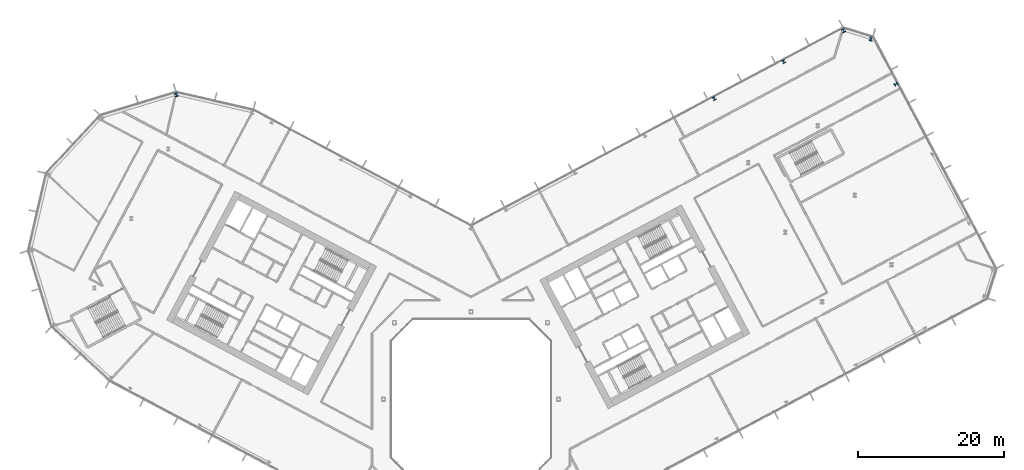
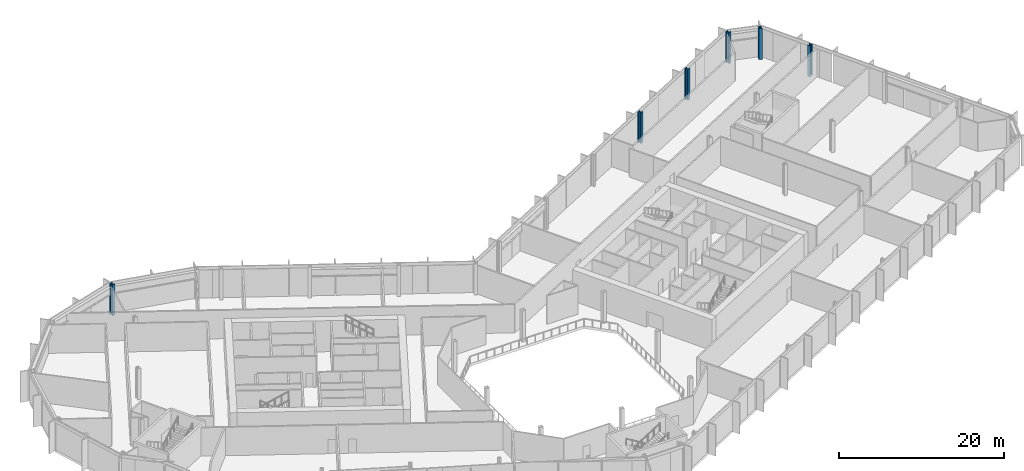
# One storey, part 5 of 32: 6 columns.
"""IFC4 building model written with IfcOpenShell, lengths in metres."""

from ifc_helpers import new_model, si_unit, direction, frame, origin, origin_2d, place, context, subcontext, project, spatial, i_section, extrude, material, material_profile, profile_set, type_object, element, save


model = new_model("IFC4")

# Units and contexts
model_context = context("Model", 3, precision=1e-05, world=origin(), true_north=direction((0.0, 1.0)))
body_context = subcontext(model_context, "Body", "Model", "MODEL_VIEW")
ifc_project = project(units=[si_unit("LENGTHUNIT", "METRE"), si_unit("AREAUNIT", "SQUARE_METRE"), si_unit("VOLUMEUNIT", "CUBIC_METRE"), si_unit("PLANEANGLEUNIT", "RADIAN"), si_unit("MASSUNIT", "GRAM", prefix="KILO")], contexts=[model_context])

# Site, building, storey
site_placement = place(None, origin())
site = spatial("IfcSite", under=ifc_project, at=site_placement, CompositionType="ELEMENT")
building_placement = place(site_placement, origin())
building = spatial("IfcBuilding", under=site, at=building_placement, Name="Cormorant Relay Tower", CompositionType="ELEMENT")
storey_placement = place(building_placement, frame((0.0, 0.0, 70.800048828125)))
storey = spatial("IfcBuildingStorey", under=building, at=storey_placement, Name="L13", CompositionType="ELEMENT", Elevation=70.800048828125)

# Columns
ifc_material_1 = material(Name="Steel ASTM A992 (Fy 345 MPa)", Category="steel")
ifc_material_profile_1 = material_profile(ifc_material_1, i_section(OverallWidth=0.42431640625, OverallDepth=0.47509765625, WebThickness=0.0478515625, FlangeThickness=0.0771484375, FilletRadius=0.014892578125, at=origin_2d()), Name="W360x634")
ifc_profile_set_1 = profile_set([ifc_material_profile_1], Name="Steel ASTM A992 (Fy 345 MPa)")
column_type_1 = type_object("IfcColumnType", Name="Column W360x634", PredefinedType="COLUMN", material=ifc_profile_set_1)
for number, where, z_axis, x_axis, name in (
    (1, (33.342041015625, 41.239990234375, 0.0), (0.0, 0.0, 1.0), (-0.882947592859, -0.469471562786, 0.0), "Column L13-049"),
    (2, (58.2900390625, 43.22509765625, 0.0), (0.0, 0.0, 1.0), (-0.469471562786, 0.882947592859, 0.0), "Column L13-051"),
    (3, (42.876953125, 46.31005859375, 0.0), (0.0, 0.0, 1.0), (-0.882947592859, -0.469471562786, 0.0), "Column L13-052"),
):
    element("IfcColumn", number, at=place(storey_placement, frame(where, z_axis=z_axis, x_axis=x_axis)), inside=storey, type_object=column_type_1, Name=name, PredefinedType="COLUMN", context=body_context, shape_type="SweptSolid", body=[
        extrude(i_section(OverallWidth=0.42431640625, OverallDepth=0.47509765625, WebThickness=0.0478515625, FlangeThickness=0.0771484375, FilletRadius=0.014892578125, at=origin_2d()), origin(), (0.0, 0.0, 1.0), 4.599853515625),
    ])
ifc_material_2 = material(Name="Steel ASTM A992 (Fy 345 MPa)", Category="steel")
ifc_material_profile_2 = material_profile(ifc_material_2, i_section(OverallWidth=0.43701171875, OverallDepth=0.51318359375, WebThickness=0.060546875, FlangeThickness=0.096923828125, FilletRadius=0.015380859375, at=origin_2d()), Name="W360x818")
ifc_profile_set_2 = profile_set([ifc_material_profile_2], Name="Steel ASTM A992 (Fy 345 MPa)")
column_type_2 = type_object("IfcColumnType", Name="Column W360x818", PredefinedType="COLUMN", material=ifc_profile_set_2)
for number, where, z_axis, x_axis, name in (
    (4, (-40.452880859375, 41.763916015625, 0.0), (0.0, 0.0, 1.0), (-0.956304755963, -0.292371704723, 0.0), "Column L13-050"),
    (5, (54.885986328125, 49.409912109375, 0.0), (0.0, 0.0, 1.0), (-0.956304755963, 0.292371704723, 0.0), "Column L13-053"),
    (6, (51.10009765625, 50.56689453125, 0.0), (0.0, 0.0, 1.0), (-0.882947592859, -0.469471562786, 0.0), "Column L13-054"),
):
    element("IfcColumn", number, at=place(storey_placement, frame(where, z_axis=z_axis, x_axis=x_axis)), inside=storey, type_object=column_type_2, Name=name, PredefinedType="COLUMN", context=body_context, shape_type="SweptSolid", body=[
        extrude(i_section(OverallWidth=0.43701171875, OverallDepth=0.51318359375, WebThickness=0.060546875, FlangeThickness=0.096923828125, FilletRadius=0.015380859375, at=origin_2d()), origin(), (0.0, 0.0, 1.0), 4.599853515625),
    ])

save(model, "model.ifc")
